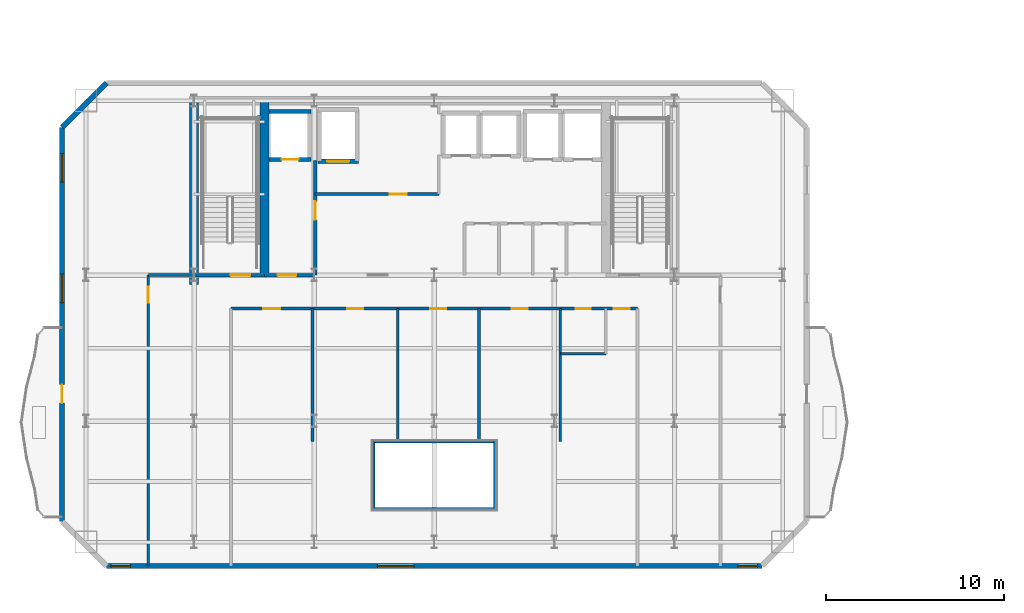
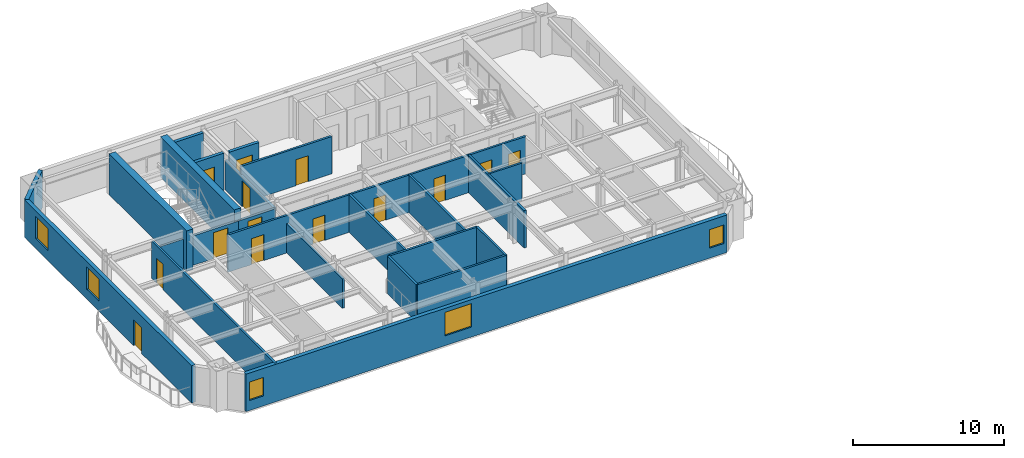
# One storey, part 5 of 14: 24 walls, 14 doors, 5 windows, 19 openings.
"""IFC4 building model written with IfcOpenShell, lengths in metres."""

from ifc_helpers import new_model, si_unit, direction, frame, frame_2d, origin, place, context, subcontext, project, spatial, rectangle, extrude, material, layer, layer_set, type_object, element, fill, save


model = new_model("IFC4")

# Units and contexts
model_context = context("Model", 3, precision=1e-05, world=origin(), true_north=direction((0.0, 1.0)))
body_context = subcontext(model_context, "Body", "Model", "MODEL_VIEW")
ifc_project = project(units=[si_unit("LENGTHUNIT", "METRE"), si_unit("AREAUNIT", "SQUARE_METRE"), si_unit("VOLUMEUNIT", "CUBIC_METRE"), si_unit("PLANEANGLEUNIT", "RADIAN"), si_unit("MASSUNIT", "GRAM", prefix="KILO")], contexts=[model_context])

# Site, building, storey
site_placement = place(None, origin())
site = spatial("IfcSite", under=ifc_project, at=site_placement, CompositionType="ELEMENT")
building_placement = place(site_placement, origin())
building = spatial("IfcBuilding", under=site, at=building_placement, Name="Haevon Station Towers", CompositionType="ELEMENT")
storey_placement = place(building_placement, frame((0.0, 0.0, 169.199951171875)))
storey = spatial("IfcBuildingStorey", under=building, at=storey_placement, Name="L46", CompositionType="ELEMENT", Elevation=169.199951171875)

# Wall, opening, door
ifc_material_1 = material(Name="Gypsum board on steel stud", Category="steel")
ifc_layer_1 = layer(ifc_material_1, 0.199951171875)
ifc_layer_set_1 = layer_set([ifc_layer_1], Name="Gypsum board on steel stud")
wall_type_1 = type_object("IfcWallType", Name="WL-COR200", PredefinedType="PARTITIONING", material=ifc_layer_set_1)
wall_1_placement = place(storey_placement, frame((24.0, 38.199951171875, 0.0), z_axis=(0.0, 0.0, 1.0), x_axis=(1.0, 0.0, 0.0)))
wall_1 = element("IfcWall", 1, at=wall_1_placement, inside=storey, type_object=wall_type_1, Name="WL-ST-ST1-L46", PredefinedType="PARTITIONING", context=body_context, shape_type="SweptSolid", body=[
    extrude(rectangle(XDim=3.949951171875, YDim=0.199951171875, at=frame_2d((1.97509765625, 0.0))), origin(), (0.0, 0.0, 1.0), 2.380126953125),
])
opening_1_placement = place(wall_1_placement, frame((2.050048828125, 0.0, 0.0)))
opening_1 = element("IfcOpeningElement", 2, at=opening_1_placement, cuts=wall_1, Name="Opening DR-ST-ST1-L46", PredefinedType="OPENING", context=body_context, shape_type="SweptSolid", body=[
    extrude(rectangle(XDim=1.1201171875, YDim=2.10009765625, at=frame_2d((0.56005859375, 1.050048828125))), frame((0.0, 0.10986328125, 0.0), z_axis=(0.0, -1.0, 0.0), x_axis=(1.0, 0.0, 0.0)), (0.0, 0.0, 1.0), 0.219970703125),
])
ifc_material_2 = material(Name="Engineered oak timber", Category="wood")
door_type_1 = type_object("IfcDoorType", Name="DR-ST-1120", OperationType="NOTDEFINED", PredefinedType="DOOR", material=ifc_material_2)
door_1_placement = place(opening_1_placement, origin())
door_1 = element("IfcDoor", 3, at=door_1_placement, inside=storey, type_object=door_type_1, Name="L46 Escape Stair ST1 Fire Door", OperationType="SINGLE_SWING_RIGHT", OverallHeight=2.10009765625, OverallWidth=1.1201171875, PredefinedType="DOOR", context=body_context, shape_type="SweptSolid", body=[
    extrude(rectangle(XDim=1.1201171875, YDim=2.10009765625, at=frame_2d((0.56005859375, 1.050048828125))), frame((0.0, 0.02490234375, 0.0), z_axis=(0.0, -1.0, 0.0), x_axis=(1.0, 0.0, 0.0)), (0.0, 0.0, 1.0), 0.050048828125),
])
fill(opening_1, door_1)

wall_2_placement = place(storey_placement, frame((30.800048828125, 38.199951171875, 0.0), z_axis=(0.0, 0.0, 1.0), x_axis=(0.0, 1.0, 0.0)))
wall_2 = element("IfcWall", 4, at=wall_2_placement, inside=storey, type_object=wall_type_1, Name="WL-T1FFL-L46-E", PredefinedType="PARTITIONING", context=body_context, shape_type="SweptSolid", body=[
    extrude(rectangle(XDim=6.449951171875, YDim=0.199951171875, at=frame_2d((3.22509765625, 0.0))), origin(), (0.0, 0.0, 1.0), 2.380126953125),
])
opening_2_placement = place(wall_2_placement, frame((3.10009765625, 0.0, 0.0)))
opening_2 = element("IfcOpeningElement", 5, at=opening_2_placement, cuts=wall_2, Name="Opening DR-T1FFL-L46-E", PredefinedType="OPENING", context=body_context, shape_type="SweptSolid", body=[
    extrude(rectangle(XDim=1.050048828125, YDim=2.10009765625, at=frame_2d((0.52490234375, 1.050048828125))), frame((0.0, 0.10986328125, 0.0), z_axis=(0.0, -1.0, 0.0), x_axis=(1.0, 0.0, 0.0)), (0.0, 0.0, 1.0), 0.219970703125),
])
door_type_2 = type_object("IfcDoorType", Name="DR-FD60-1050", OperationType="NOTDEFINED", PredefinedType="DOOR", material=ifc_material_2)
door_2_placement = place(opening_2_placement, origin())
door_2 = element("IfcDoor", 6, at=door_2_placement, inside=storey, type_object=door_type_2, Name="L46 Tower 1 Firefighting Lift Lobby Door E", OperationType="SINGLE_SWING_RIGHT", OverallHeight=2.10009765625, OverallWidth=1.050048828125, PredefinedType="DOOR", context=body_context, shape_type="SweptSolid", body=[
    extrude(rectangle(XDim=1.050048828125, YDim=2.10009765625, at=frame_2d((0.52490234375, 1.050048828125))), frame((0.0, 0.02490234375, 0.0), z_axis=(0.0, -1.0, 0.0), x_axis=(1.0, 0.0, 0.0)), (0.0, 0.0, 1.0), 0.050048828125),
])
fill(opening_2, door_2)

wall_3_placement = place(storey_placement, frame((27.949951171875, 38.199951171875, 0.0), z_axis=(0.0, 0.0, 1.0), x_axis=(1.0, 0.0, 0.0)))
wall_3 = element("IfcWall", 7, at=wall_3_placement, inside=storey, type_object=wall_type_1, Name="WL-T1FFL-L46-S", PredefinedType="PARTITIONING", context=body_context, shape_type="SweptSolid", body=[
    extrude(rectangle(XDim=2.85009765625, YDim=0.199951171875, at=frame_2d((1.425048828125, 0.0))), origin(), (0.0, 0.0, 1.0), 2.380126953125),
])
opening_3_placement = place(wall_3_placement, frame((0.75, 0.0, 0.0)))
opening_3 = element("IfcOpeningElement", 8, at=opening_3_placement, cuts=wall_3, Name="Opening DR-T1FFL-L46-S", PredefinedType="OPENING", context=body_context, shape_type="SweptSolid", body=[
    extrude(rectangle(XDim=1.050048828125, YDim=2.10009765625, at=frame_2d((0.52490234375, 1.050048828125))), frame((0.0, 0.10986328125, 0.0), z_axis=(0.0, -1.0, 0.0), x_axis=(1.0, 0.0, 0.0)), (0.0, 0.0, 1.0), 0.219970703125),
])
door_3_placement = place(opening_3_placement, origin())
door_3 = element("IfcDoor", 9, at=door_3_placement, inside=storey, type_object=door_type_2, Name="L46 Tower 1 Firefighting Lift Lobby Door S", OperationType="SINGLE_SWING_LEFT", OverallHeight=2.10009765625, OverallWidth=1.050048828125, PredefinedType="DOOR", context=body_context, shape_type="SweptSolid", body=[
    extrude(rectangle(XDim=1.050048828125, YDim=2.10009765625, at=frame_2d((0.52490234375, 1.050048828125))), frame((0.0, 0.02490234375, 0.0), z_axis=(0.0, -1.0, 0.0), x_axis=(1.0, 0.0, 0.0)), (0.0, 0.0, 1.0), 0.050048828125),
])
fill(opening_3, door_3)

# Walls
ifc_material_3 = material(Name="Concrete C60/75", Category="concrete")
ifc_layer_2 = layer(ifc_material_3, 0.5)
ifc_layer_set_2 = layer_set([ifc_layer_2], Name="Concrete C60/75")
wall_type_2 = type_object("IfcWallType", Name="WL-CR500", PredefinedType="SHEAR", material=ifc_layer_set_2)
wall_4_placement = place(storey_placement, frame((24.0, 37.679931640625, 0.0), z_axis=(0.0, 0.0, 1.0), x_axis=(0.0, 1.0, 0.0)))
element("IfcWall", 10, at=wall_4_placement, inside=storey, type_object=wall_type_2, Name="WL-T1CR-L46-W", PredefinedType="SHEAR", context=body_context, shape_type="SweptSolid", body=[
    extrude(rectangle(XDim=10.320068359375, YDim=0.5, at=frame_2d((5.16015625, 0.0))), origin(), (0.0, 0.0, 1.0), 3.300048828125),
])
wall_5_placement = place(storey_placement, frame((27.949951171875, 38.199951171875, 0.0), z_axis=(0.0, 0.0, 1.0), x_axis=(0.0, 1.0, 0.0)))
element("IfcWall", 11, at=wall_5_placement, inside=storey, type_object=wall_type_2, Name="WL-T1CR-L46-M1", PredefinedType="SHEAR", context=body_context, shape_type="SweptSolid", body=[
    extrude(rectangle(XDim=9.800048828125, YDim=0.5, at=frame_2d((4.89990234375, 0.0))), origin(), (0.0, 0.0, 1.0), 3.300048828125),
])

# Wall, openings, windows
ifc_material_4 = material(Name="Precast concrete C45/55", Category="concrete")
ifc_layer_3 = layer(ifc_material_4, 0.300048828125)
ifc_layer_set_3 = layer_set([ifc_layer_3], Name="Precast concrete C45/55")
wall_type_3 = type_object("IfcWallType", Name="WL-EXT-PIER300", PredefinedType="SOLIDWALL", material=ifc_layer_set_3)
wall_6_placement = place(storey_placement, frame((55.925048828125, 21.85009765625, 0.0), z_axis=(0.0, 0.0, 1.0), x_axis=(-1.0, 0.0, 0.0)))
wall_6 = element("IfcWall", 12, at=wall_6_placement, inside=storey, type_object=wall_type_3, Name="WL-T1-L46-S", PredefinedType="SOLIDWALL", context=body_context, shape_type="SweptSolid", body=[
    extrude(rectangle(XDim=36.85009765625, YDim=0.300048828125, at=frame_2d((18.425048828125, 0.0))), origin(), (0.0, 0.0, 1.0), 3.030029296875),
])
opening_4_placement = place(wall_6_placement, frame((35.5, 0.0, 0.800048828125)))
opening_4 = element("IfcOpeningElement", 13, at=opening_4_placement, cuts=wall_6, Name="Opening WN-COR110", PredefinedType="OPENING", context=body_context, shape_type="SweptSolid", body=[
    extrude(rectangle(XDim=1.10009765625, YDim=1.5, at=frame_2d((0.550048828125, 0.75))), frame((0.0, 0.159912109375, 0.0), z_axis=(0.0, -1.0, 0.0), x_axis=(1.0, 0.0, 0.0)), (0.0, 0.0, 1.0), 0.320068359375),
])
opening_5_placement = place(wall_6_placement, frame((0.25, 0.0, 0.800048828125)))
opening_5 = element("IfcOpeningElement", 14, at=opening_5_placement, cuts=wall_6, Name="Opening WN-COR110", PredefinedType="OPENING", context=body_context, shape_type="SweptSolid", body=[
    extrude(rectangle(XDim=1.10009765625, YDim=1.5, at=frame_2d((0.550048828125, 0.75))), frame((0.0, 0.159912109375, 0.0), z_axis=(0.0, -1.0, 0.0), x_axis=(1.0, 0.0, 0.0)), (0.0, 0.0, 1.0), 0.320068359375),
])
opening_6_placement = place(wall_6_placement, frame((19.56982421875, 0.0, 0.800048828125)))
opening_6 = element("IfcOpeningElement", 15, at=opening_6_placement, cuts=wall_6, Name="Opening WN-P205", PredefinedType="OPENING", context=body_context, shape_type="SweptSolid", body=[
    extrude(rectangle(XDim=2.050048828125, YDim=1.89990234375, at=frame_2d((1.02490234375, 0.949951171875))), frame((0.0, 0.159912109375, 0.0), z_axis=(0.0, -1.0, 0.0), x_axis=(1.0, 0.0, 0.0)), (0.0, 0.0, 1.0), 0.320068359375),
])
ifc_material_5 = material(Name="Low-E triple glazing in thermally broken aluminium", Category="aluminium")
window_type_1 = type_object("IfcWindowType", Name="WN-COR110", PartitioningType="SINGLE_PANEL", PredefinedType="WINDOW", material=ifc_material_5)
window_1_placement = place(opening_4_placement, origin())
window_1 = element("IfcWindow", 16, at=window_1_placement, inside=storey, type_object=window_type_1, Name="WN-T1-L46-S01", OverallHeight=1.5, OverallWidth=1.10009765625, PartitioningType="SINGLE_PANEL", PredefinedType="WINDOW", context=body_context, shape_type="SweptSolid", body=[
    extrude(rectangle(XDim=1.10009765625, YDim=1.5, at=frame_2d((0.550048828125, 0.75))), frame((0.0, 0.030029296875, 0.0), z_axis=(0.0, -1.0, 0.0), x_axis=(1.0, 0.0, 0.0)), (0.0, 0.0, 1.0), 0.06005859375),
])
fill(opening_4, window_1)
window_2_placement = place(opening_5_placement, origin())
window_2 = element("IfcWindow", 17, at=window_2_placement, inside=storey, type_object=window_type_1, Name="WN-T1-L46-S02", OverallHeight=1.5, OverallWidth=1.10009765625, PartitioningType="SINGLE_PANEL", PredefinedType="WINDOW", context=body_context, shape_type="SweptSolid", body=[
    extrude(rectangle(XDim=1.10009765625, YDim=1.5, at=frame_2d((0.550048828125, 0.75))), frame((0.0, 0.030029296875, 0.0), z_axis=(0.0, -1.0, 0.0), x_axis=(1.0, 0.0, 0.0)), (0.0, 0.0, 1.0), 0.06005859375),
])
fill(opening_5, window_2)
window_type_2 = type_object("IfcWindowType", Name="WN-P205", PartitioningType="SINGLE_PANEL", PredefinedType="WINDOW", material=ifc_material_5)
window_3_placement = place(opening_6_placement, origin())
window_3 = element("IfcWindow", 18, at=window_3_placement, inside=storey, type_object=window_type_2, Name="WN-T1-L46-S03", OverallHeight=1.89990234375, OverallWidth=2.050048828125, PartitioningType="SINGLE_PANEL", PredefinedType="WINDOW", context=body_context, shape_type="SweptSolid", body=[
    extrude(rectangle(XDim=2.050048828125, YDim=1.89990234375, at=frame_2d((1.02490234375, 0.949951171875))), frame((0.0, 0.030029296875, 0.0), z_axis=(0.0, -1.0, 0.0), x_axis=(1.0, 0.0, 0.0)), (0.0, 0.0, 1.0), 0.06005859375),
])
fill(opening_6, window_3)

# Wall, openings, door, windows
wall_7_placement = place(storey_placement, frame((16.574951171875, 24.35009765625, 0.0), z_axis=(0.0, 0.0, 1.0), x_axis=(0.0, 1.0, 0.0)))
wall_7 = element("IfcWall", 19, at=wall_7_placement, inside=storey, type_object=wall_type_3, Name="WL-T1-L46-W", PredefinedType="SOLIDWALL", context=body_context, shape_type="SweptSolid", body=[
    extrude(rectangle(XDim=22.14990234375, YDim=0.300048828125, at=frame_2d((11.074951171875, 0.0))), origin(), (0.0, 0.0, 1.0), 3.030029296875),
])
opening_7_placement = place(wall_7_placement, frame((6.64990234375, 0.0, 0.0)))
opening_7 = element("IfcOpeningElement", 20, at=opening_7_placement, cuts=wall_7, Name="Opening DR-T1-SCAL-L46-W", PredefinedType="OPENING", context=body_context, shape_type="SweptSolid", body=[
    extrude(rectangle(XDim=1.050048828125, YDim=2.10009765625, at=frame_2d((0.52490234375, 1.050048828125))), frame((0.0, 0.159912109375, 0.0), z_axis=(0.0, -1.0, 0.0), x_axis=(1.0, 0.0, 0.0)), (0.0, 0.0, 1.0), 0.320068359375),
])
opening_8_placement = place(wall_7_placement, frame((12.305419921875, 0.0, 0.800048828125)))
opening_8 = element("IfcOpeningElement", 21, at=opening_8_placement, cuts=wall_7, Name="Opening WN-END160", PredefinedType="OPENING", context=body_context, shape_type="SweptSolid", body=[
    extrude(rectangle(XDim=1.60009765625, YDim=1.800048828125, at=frame_2d((0.800048828125, 0.89990234375))), frame((0.0, 0.159912109375, 0.0), z_axis=(0.0, -1.0, 0.0), x_axis=(1.0, 0.0, 0.0)), (0.0, 0.0, 1.0), 0.320068359375),
])
opening_9_placement = place(wall_7_placement, frame((19.0732421875, 0.0, 0.800048828125)))
opening_9 = element("IfcOpeningElement", 22, at=opening_9_placement, cuts=wall_7, Name="Opening WN-END160", PredefinedType="OPENING", context=body_context, shape_type="SweptSolid", body=[
    extrude(rectangle(XDim=1.60009765625, YDim=1.800048828125, at=frame_2d((0.800048828125, 0.89990234375))), frame((0.0, 0.159912109375, 0.0), z_axis=(0.0, -1.0, 0.0), x_axis=(1.0, 0.0, 0.0)), (0.0, 0.0, 1.0), 0.320068359375),
])
ifc_material_6 = material(Name="Thermally broken anodised aluminium and laminated safety glass", Category="aluminium")
door_type_3 = type_object("IfcDoorType", Name="DR-BALC-1050", OperationType="NOTDEFINED", PredefinedType="DOOR", material=ifc_material_6)
door_4_placement = place(opening_7_placement, origin())
door_4 = element("IfcDoor", 23, at=door_4_placement, inside=storey, type_object=door_type_3, Name="Tower 1 L46 West Scalloped Balcony Door", OperationType="SINGLE_SWING_RIGHT", OverallHeight=2.10009765625, OverallWidth=1.050048828125, PredefinedType="DOOR", context=body_context, shape_type="SweptSolid", body=[
    extrude(rectangle(XDim=1.050048828125, YDim=2.10009765625, at=frame_2d((0.52490234375, 1.050048828125))), frame((0.0, 0.02490234375, 0.0), z_axis=(0.0, -1.0, 0.0), x_axis=(1.0, 0.0, 0.0)), (0.0, 0.0, 1.0), 0.050048828125),
])
fill(opening_7, door_4)
window_type_3 = type_object("IfcWindowType", Name="WN-END160", PartitioningType="SINGLE_PANEL", PredefinedType="WINDOW", material=ifc_material_5)
window_4_placement = place(opening_8_placement, origin())
window_4 = element("IfcWindow", 24, at=window_4_placement, inside=storey, type_object=window_type_3, Name="WN-T1-L46-W01", OverallHeight=1.800048828125, OverallWidth=1.60009765625, PartitioningType="SINGLE_PANEL", PredefinedType="WINDOW", context=body_context, shape_type="SweptSolid", body=[
    extrude(rectangle(XDim=1.60009765625, YDim=1.800048828125, at=frame_2d((0.800048828125, 0.89990234375))), frame((0.0, 0.030029296875, 0.0), z_axis=(0.0, -1.0, 0.0), x_axis=(1.0, 0.0, 0.0)), (0.0, 0.0, 1.0), 0.06005859375),
])
fill(opening_8, window_4)
window_5_placement = place(opening_9_placement, origin())
window_5 = element("IfcWindow", 25, at=window_5_placement, inside=storey, type_object=window_type_3, Name="WN-T1-L46-W02", OverallHeight=1.800048828125, OverallWidth=1.60009765625, PartitioningType="SINGLE_PANEL", PredefinedType="WINDOW", context=body_context, shape_type="SweptSolid", body=[
    extrude(rectangle(XDim=1.60009765625, YDim=1.800048828125, at=frame_2d((0.800048828125, 0.89990234375))), frame((0.0, 0.030029296875, 0.0), z_axis=(0.0, -1.0, 0.0), x_axis=(1.0, 0.0, 0.0)), (0.0, 0.0, 1.0), 0.06005859375),
])
fill(opening_9, window_5)

# Walls
wall_8_placement = place(storey_placement, frame((16.574951171875, 46.5, 0.0), z_axis=(0.0, 0.0, 1.0), x_axis=(0.707106781187, 0.707106781187, 0.0)))
element("IfcWall", 26, at=wall_8_placement, inside=storey, type_object=wall_type_3, Name="WL-T1-L46-NWC", PredefinedType="SOLIDWALL", context=body_context, shape_type="SweptSolid", body=[
    extrude(rectangle(XDim=3.53564453125, YDim=0.300048828125, at=frame_2d((1.767822265625, 0.0))), origin(), (0.0, 0.0, 1.0), 3.030029296875),
])
ifc_layer_4 = layer(ifc_material_1, 0.139892578125)
ifc_layer_set_4 = layer_set([ifc_layer_4], Name="Gypsum board on steel stud")
wall_type_4 = type_object("IfcWallType", Name="WL-PRT140", PredefinedType="PARTITIONING", material=ifc_layer_set_4)
wall_9_placement = place(storey_placement, frame((44.580322265625, 33.77001953125, 0.0), z_axis=(0.0, 0.0, 1.0), x_axis=(1.0, 0.0, 0.0)))
element("IfcWall", 27, at=wall_9_placement, inside=storey, type_object=wall_type_4, Name="WL-T1PT-L46-18", PredefinedType="PARTITIONING", context=body_context, shape_type="SweptSolid", body=[
    extrude(rectangle(XDim=2.5595703125, YDim=0.139892578125, at=frame_2d((1.27978515625, 0.0))), origin(), (0.0, 0.0, 1.0), 3.030029296875),
])

# Wall, opening, door
ifc_layer_5 = layer(ifc_material_1, 0.159912109375)
ifc_layer_set_5 = layer_set([ifc_layer_5], Name="Gypsum board on steel stud")
wall_type_5 = type_object("IfcWallType", Name="WL-PRT160", PredefinedType="PARTITIONING", material=ifc_layer_set_5)
wall_10_placement = place(storey_placement, frame((30.800048828125, 42.75, 0.0), z_axis=(0.0, 0.0, 1.0), x_axis=(1.0, 0.0, 0.0)))
wall_10 = element("IfcWall", 28, at=wall_10_placement, inside=storey, type_object=wall_type_5, Name="WL-T1CW-L46-01", PredefinedType="PARTITIONING", context=body_context, shape_type="SweptSolid", body=[
    extrude(rectangle(XDim=6.949951171875, YDim=0.159912109375, at=frame_2d((3.47509765625, 0.0))), origin(), (0.0, 0.0, 1.0), 3.030029296875),
])
opening_10_placement = place(wall_10_placement, frame((4.199951171875, 0.0, 0.0)))
opening_10 = element("IfcOpeningElement", 29, at=opening_10_placement, cuts=wall_10, Name="Opening DR-WL-T1CW-L46-01-1", PredefinedType="OPENING", context=body_context, shape_type="SweptSolid", body=[
    extrude(rectangle(XDim=0.949951171875, YDim=2.10009765625, at=frame_2d((0.47509765625, 1.050048828125))), frame((0.0, 0.08984375, 0.0), z_axis=(0.0, -1.0, 0.0), x_axis=(1.0, 0.0, 0.0)), (0.0, 0.0, 1.0), 0.179931640625),
])
door_type_4 = type_object("IfcDoorType", Name="DR-FD60-950", OperationType="NOTDEFINED", PredefinedType="DOOR", material=ifc_material_2)
door_5_placement = place(opening_10_placement, origin())
door_5 = element("IfcDoor", 30, at=door_5_placement, inside=storey, type_object=door_type_4, Name="L46 Tower 1 Core Room Door 1-1", OperationType="SINGLE_SWING_LEFT", OverallHeight=2.10009765625, OverallWidth=0.949951171875, PredefinedType="DOOR", context=body_context, shape_type="SweptSolid", body=[
    extrude(rectangle(XDim=0.949951171875, YDim=2.10009765625, at=frame_2d((0.47509765625, 1.050048828125))), frame((0.0, 0.02490234375, 0.0), z_axis=(0.0, -1.0, 0.0), x_axis=(1.0, 0.0, 0.0)), (0.0, 0.0, 1.0), 0.050048828125),
])
fill(opening_10, door_5)

# Wall
wall_11_placement = place(storey_placement, frame((21.425048828125, 38.199951171875, 0.0), z_axis=(0.0, 0.0, 1.0), x_axis=(1.0, 0.0, 0.0)))
element("IfcWall", 31, at=wall_11_placement, inside=storey, type_object=wall_type_5, Name="WL-T1PT-L46-03", PredefinedType="PARTITIONING", context=body_context, shape_type="SweptSolid", body=[
    extrude(rectangle(XDim=2.574951171875, YDim=0.159912109375, at=frame_2d((1.28759765625, 0.0))), origin(), (0.0, 0.0, 1.0), 2.380126953125),
])

# Wall, opening, door
wall_12_placement = place(storey_placement, frame((21.425048828125, 21.85009765625, 0.0), z_axis=(0.0, 0.0, 1.0), x_axis=(0.0, 1.0, 0.0)))
wall_12 = element("IfcWall", 32, at=wall_12_placement, inside=storey, type_object=wall_type_5, Name="WL-T1PT-L46-05", PredefinedType="PARTITIONING", context=body_context, shape_type="SweptSolid", body=[
    extrude(rectangle(XDim=16.349853515625, YDim=0.159912109375, at=frame_2d((8.1748046875, 0.0))), origin(), (0.0, 0.0, 1.0), 3.030029296875),
])
opening_11_placement = place(wall_12_placement, frame((14.7900390625, 0.0, 0.0)))
opening_11 = element("IfcOpeningElement", 33, at=opening_11_placement, cuts=wall_12, Name="Opening DR-WL-T1PT-L46-05-01", PredefinedType="OPENING", context=body_context, shape_type="SweptSolid", body=[
    extrude(rectangle(XDim=0.89990234375, YDim=2.050048828125, at=frame_2d((0.449951171875, 1.02490234375))), frame((0.0, 0.08984375, 0.0), z_axis=(0.0, -1.0, 0.0), x_axis=(1.0, 0.0, 0.0)), (0.0, 0.0, 1.0), 0.179931640625),
])
door_type_5 = type_object("IfcDoorType", Name="DR-INT-900", OperationType="NOTDEFINED", PredefinedType="DOOR", material=ifc_material_2)
door_6_placement = place(opening_11_placement, origin())
door_6 = element("IfcDoor", 34, at=door_6_placement, inside=storey, type_object=door_type_5, Name="L46 Tower 1 Room Door 5-1", OperationType="SINGLE_SWING_RIGHT", OverallHeight=2.050048828125, OverallWidth=0.89990234375, PredefinedType="DOOR", context=body_context, shape_type="SweptSolid", body=[
    extrude(rectangle(XDim=0.89990234375, YDim=2.050048828125, at=frame_2d((0.449951171875, 1.02490234375))), frame((0.0, 0.02490234375, 0.0), z_axis=(0.0, -1.0, 0.0), x_axis=(1.0, 0.0, 0.0)), (0.0, 0.0, 1.0), 0.050048828125),
])
fill(opening_11, door_6)

# Walls
for number, where, z_axis, x_axis, name in (
    (35, (34.10009765625, 25.050048828125, 0.0), (0.0, 0.0, 1.0), (1.0, 0.0, 0.0), "WL-T1PT-L46-07"),
    (36, (34.10009765625, 28.85009765625, 0.0), (0.0, 0.0, 1.0), (1.0, 0.0, 0.0), "WL-T1PT-L46-08"),
):
    element("IfcWall", number, at=place(storey_placement, frame(where, z_axis=z_axis, x_axis=x_axis)), inside=storey, type_object=wall_type_5, Name=name, PredefinedType="PARTITIONING", context=body_context, shape_type="SweptSolid", body=[
        extrude(rectangle(XDim=6.7998046875, YDim=0.159912109375, at=frame_2d((3.39990234375, 0.0))), origin(), (0.0, 0.0, 1.0), 3.030029296875),
    ])
for number, where, z_axis, x_axis, name in (
    (37, (34.10009765625, 25.050048828125, 0.0), (0.0, 0.0, 1.0), (0.0, 1.0, 0.0), "WL-T1PT-L46-09"),
    (38, (40.89990234375, 25.050048828125, 0.0), (0.0, 0.0, 1.0), (0.0, 1.0, 0.0), "WL-T1PT-L46-10"),
):
    element("IfcWall", number, at=place(storey_placement, frame(where, z_axis=z_axis, x_axis=x_axis)), inside=storey, type_object=wall_type_5, Name=name, PredefinedType="PARTITIONING", context=body_context, shape_type="SweptSolid", body=[
        extrude(rectangle(XDim=3.800048828125, YDim=0.159912109375, at=frame_2d((1.89990234375, 0.0))), origin(), (0.0, 0.0, 1.0), 3.030029296875),
    ])
wall_13_placement = place(storey_placement, frame((30.64794921875, 28.85009765625, 0.0), z_axis=(0.0, 0.0, 1.0), x_axis=(0.0, 1.0, 0.0)))
element("IfcWall", 39, at=wall_13_placement, inside=storey, type_object=wall_type_5, Name="WL-T1PT-L46-11", PredefinedType="PARTITIONING", context=body_context, shape_type="SweptSolid", body=[
    extrude(rectangle(XDim=7.469970703125, YDim=0.159912109375, at=frame_2d((3.73486328125, 0.0))), origin(), (0.0, 0.0, 1.0), 2.380126953125),
])
for number, where, z_axis, x_axis, name in (
    (40, (35.4443359375, 28.85009765625, 0.0), (0.0, 0.0, 1.0), (0.0, 1.0, 0.0), "WL-T1PT-L46-12"),
    (41, (40.012451171875, 28.85009765625, 0.0), (0.0, 0.0, 1.0), (0.0, 1.0, 0.0), "WL-T1PT-L46-14"),
    (42, (44.580322265625, 28.85009765625, 0.0), (0.0, 0.0, 1.0), (0.0, 1.0, 0.0), "WL-T1PT-L46-16"),
):
    element("IfcWall", number, at=place(storey_placement, frame(where, z_axis=z_axis, x_axis=x_axis)), inside=storey, type_object=wall_type_5, Name=name, PredefinedType="PARTITIONING", context=body_context, shape_type="SweptSolid", body=[
        extrude(rectangle(XDim=7.469970703125, YDim=0.159912109375, at=frame_2d((3.73486328125, 0.0))), origin(), (0.0, 0.0, 1.0), 3.030029296875),
    ])

# Wall, openings, doors
wall_14_placement = place(storey_placement, frame((26.080078125, 36.320068359375, 0.0), z_axis=(0.0, 0.0, 1.0), x_axis=(1.0, 0.0, 0.0)))
wall_14 = element("IfcWall", 43, at=wall_14_placement, inside=storey, type_object=wall_type_5, Name="WL-T1PT-L46-20", PredefinedType="PARTITIONING", context=body_context, shape_type="SweptSolid", body=[
    extrude(rectangle(XDim=22.83984375, YDim=0.159912109375, at=frame_2d((11.419921875, 0.0))), origin(), (0.0, 0.0, 1.0), 3.030029296875),
])
opening_12_placement = place(wall_14_placement, frame((1.80908203125, 0.0, 0.0)))
opening_12 = element("IfcOpeningElement", 44, at=opening_12_placement, cuts=wall_14, Name="Opening DR-WL-T1PT-L46-20-01", PredefinedType="OPENING", context=body_context, shape_type="SweptSolid", body=[
    extrude(rectangle(XDim=0.949951171875, YDim=2.10009765625, at=frame_2d((0.47509765625, 1.050048828125))), frame((0.0, 0.08984375, 0.0), z_axis=(0.0, -1.0, 0.0), x_axis=(1.0, 0.0, 0.0)), (0.0, 0.0, 1.0), 0.179931640625),
])
opening_13_placement = place(wall_14_placement, frame((6.51611328125, 0.0, 0.0)))
opening_13 = element("IfcOpeningElement", 45, at=opening_13_placement, cuts=wall_14, Name="Opening DR-WL-T1PT-L46-20-02", PredefinedType="OPENING", context=body_context, shape_type="SweptSolid", body=[
    extrude(rectangle(XDim=0.89990234375, YDim=2.050048828125, at=frame_2d((0.449951171875, 1.02490234375))), frame((0.0, 0.08984375, 0.0), z_axis=(0.0, -1.0, 0.0), x_axis=(1.0, 0.0, 0.0)), (0.0, 0.0, 1.0), 0.179931640625),
])
opening_14_placement = place(wall_14_placement, frame((11.197998046875, 0.0, 0.0)))
opening_14 = element("IfcOpeningElement", 46, at=opening_14_placement, cuts=wall_14, Name="Opening DR-WL-T1PT-L46-20-03", PredefinedType="OPENING", context=body_context, shape_type="SweptSolid", body=[
    extrude(rectangle(XDim=0.89990234375, YDim=2.050048828125, at=frame_2d((0.449951171875, 1.02490234375))), frame((0.0, 0.08984375, 0.0), z_axis=(0.0, -1.0, 0.0), x_axis=(1.0, 0.0, 0.0)), (0.0, 0.0, 1.0), 0.179931640625),
])
opening_15_placement = place(wall_14_placement, frame((15.76611328125, 0.0, 0.0)))
opening_15 = element("IfcOpeningElement", 47, at=opening_15_placement, cuts=wall_14, Name="Opening DR-WL-T1PT-L46-20-04", PredefinedType="OPENING", context=body_context, shape_type="SweptSolid", body=[
    extrude(rectangle(XDim=0.89990234375, YDim=2.050048828125, at=frame_2d((0.449951171875, 1.02490234375))), frame((0.0, 0.08984375, 0.0), z_axis=(0.0, -1.0, 0.0), x_axis=(1.0, 0.0, 0.0)), (0.0, 0.0, 1.0), 0.179931640625),
])
opening_16_placement = place(wall_14_placement, frame((19.35498046875, 0.0, 0.0)))
opening_16 = element("IfcOpeningElement", 48, at=opening_16_placement, cuts=wall_14, Name="Opening DR-WL-T1PT-L46-20-05", PredefinedType="OPENING", context=body_context, shape_type="SweptSolid", body=[
    extrude(rectangle(XDim=0.85009765625, YDim=2.050048828125, at=frame_2d((0.425048828125, 1.02490234375))), frame((0.0, 0.08984375, 0.0), z_axis=(0.0, -1.0, 0.0), x_axis=(1.0, 0.0, 0.0)), (0.0, 0.0, 1.0), 0.179931640625),
])
opening_17_placement = place(wall_14_placement, frame((21.5, 0.0, 0.0)))
opening_17 = element("IfcOpeningElement", 49, at=opening_17_placement, cuts=wall_14, Name="Opening DR-WL-T1PT-L46-20-06", PredefinedType="OPENING", context=body_context, shape_type="SweptSolid", body=[
    extrude(rectangle(XDim=0.89990234375, YDim=2.050048828125, at=frame_2d((0.449951171875, 1.02490234375))), frame((0.0, 0.08984375, 0.0), z_axis=(0.0, -1.0, 0.0), x_axis=(1.0, 0.0, 0.0)), (0.0, 0.0, 1.0), 0.179931640625),
])
door_type_6 = type_object("IfcDoorType", Name="DR-FD30-850", OperationType="NOTDEFINED", PredefinedType="DOOR", material=ifc_material_2)
door_7_placement = place(opening_16_placement, origin())
door_7 = element("IfcDoor", 50, at=door_7_placement, inside=storey, type_object=door_type_6, Name="L46 Tower 1 Room Door 20-5", OperationType="SINGLE_SWING_RIGHT", OverallHeight=2.050048828125, OverallWidth=0.85009765625, PredefinedType="DOOR", context=body_context, shape_type="SweptSolid", body=[
    extrude(rectangle(XDim=0.85009765625, YDim=2.050048828125, at=frame_2d((0.425048828125, 1.02490234375))), frame((0.0, 0.02490234375, 0.0), z_axis=(0.0, -1.0, 0.0), x_axis=(1.0, 0.0, 0.0)), (0.0, 0.0, 1.0), 0.050048828125),
])
fill(opening_16, door_7)
door_type_7 = type_object("IfcDoorType", Name="DR-FD30-950", OperationType="NOTDEFINED", PredefinedType="DOOR", material=ifc_material_2)
door_8_placement = place(opening_12_placement, origin())
door_8 = element("IfcDoor", 51, at=door_8_placement, inside=storey, type_object=door_type_7, Name="L46 Tower 1 Room Door 20-1", OperationType="SINGLE_SWING_RIGHT", OverallHeight=2.10009765625, OverallWidth=0.949951171875, PredefinedType="DOOR", context=body_context, shape_type="SweptSolid", body=[
    extrude(rectangle(XDim=0.949951171875, YDim=2.10009765625, at=frame_2d((0.47509765625, 1.050048828125))), frame((0.0, 0.02490234375, 0.0), z_axis=(0.0, -1.0, 0.0), x_axis=(1.0, 0.0, 0.0)), (0.0, 0.0, 1.0), 0.050048828125),
])
fill(opening_12, door_8)
door_9_placement = place(opening_13_placement, origin())
door_9 = element("IfcDoor", 52, at=door_9_placement, inside=storey, type_object=door_type_5, Name="L46 Tower 1 Room Door 20-2", OperationType="SINGLE_SWING_LEFT", OverallHeight=2.050048828125, OverallWidth=0.89990234375, PredefinedType="DOOR", context=body_context, shape_type="SweptSolid", body=[
    extrude(rectangle(XDim=0.89990234375, YDim=2.050048828125, at=frame_2d((0.449951171875, 1.02490234375))), frame((0.0, 0.02490234375, 0.0), z_axis=(0.0, -1.0, 0.0), x_axis=(1.0, 0.0, 0.0)), (0.0, 0.0, 1.0), 0.050048828125),
])
fill(opening_13, door_9)
door_10_placement = place(opening_14_placement, origin())
door_10 = element("IfcDoor", 53, at=door_10_placement, inside=storey, type_object=door_type_5, Name="L46 Tower 1 Room Door 20-3", OperationType="SINGLE_SWING_RIGHT", OverallHeight=2.050048828125, OverallWidth=0.89990234375, PredefinedType="DOOR", context=body_context, shape_type="SweptSolid", body=[
    extrude(rectangle(XDim=0.89990234375, YDim=2.050048828125, at=frame_2d((0.449951171875, 1.02490234375))), frame((0.0, 0.02490234375, 0.0), z_axis=(0.0, -1.0, 0.0), x_axis=(1.0, 0.0, 0.0)), (0.0, 0.0, 1.0), 0.050048828125),
])
fill(opening_14, door_10)
door_11_placement = place(opening_15_placement, origin())
door_11 = element("IfcDoor", 54, at=door_11_placement, inside=storey, type_object=door_type_5, Name="L46 Tower 1 Room Door 20-4", OperationType="SINGLE_SWING_LEFT", OverallHeight=2.050048828125, OverallWidth=0.89990234375, PredefinedType="DOOR", context=body_context, shape_type="SweptSolid", body=[
    extrude(rectangle(XDim=0.89990234375, YDim=2.050048828125, at=frame_2d((0.449951171875, 1.02490234375))), frame((0.0, 0.02490234375, 0.0), z_axis=(0.0, -1.0, 0.0), x_axis=(1.0, 0.0, 0.0)), (0.0, 0.0, 1.0), 0.050048828125),
])
fill(opening_15, door_11)
door_12_placement = place(opening_17_placement, origin())
door_12 = element("IfcDoor", 55, at=door_12_placement, inside=storey, type_object=door_type_5, Name="L46 Tower 1 Room Door 20-6", OperationType="SINGLE_SWING_LEFT", OverallHeight=2.050048828125, OverallWidth=0.89990234375, PredefinedType="DOOR", context=body_context, shape_type="SweptSolid", body=[
    extrude(rectangle(XDim=0.89990234375, YDim=2.050048828125, at=frame_2d((0.449951171875, 1.02490234375))), frame((0.0, 0.02490234375, 0.0), z_axis=(0.0, -1.0, 0.0), x_axis=(1.0, 0.0, 0.0)), (0.0, 0.0, 1.0), 0.050048828125),
])
fill(opening_17, door_12)

# Wall, opening, door
ifc_material_7 = material(Name="Concrete C40/50", Category="concrete")
ifc_layer_6 = layer(ifc_material_7, 0.239990234375)
ifc_layer_set_6 = layer_set([ifc_layer_6], Name="Concrete C40/50")
wall_type_6 = type_object("IfcWallType", Name="WL-SHF240", PredefinedType="PARTITIONING", material=ifc_layer_set_6)
wall_15_placement = place(storey_placement, frame((28.219970703125, 44.699951171875, 0.0), z_axis=(0.0, 0.0, 1.0), x_axis=(1.0, 0.0, 0.0)))
wall_15 = element("IfcWall", 56, at=wall_15_placement, inside=storey, type_object=wall_type_6, Name="WL-SHF-FL1-L46", PredefinedType="PARTITIONING", context=body_context, shape_type="SweptSolid", body=[
    extrude(rectangle(XDim=2.360107421875, YDim=0.239990234375, at=frame_2d((1.18017578125, 0.0))), origin(), (0.0, 0.0, 1.0), 3.030029296875),
])
opening_18_placement = place(wall_15_placement, frame((0.705078125, 0.0, 0.0)))
opening_18 = element("IfcOpeningElement", 57, at=opening_18_placement, cuts=wall_15, Name="Opening LD-FL1-L46", PredefinedType="OPENING", context=body_context, shape_type="SweptSolid", body=[
    extrude(rectangle(XDim=0.949951171875, YDim=2.14990234375, at=frame_2d((0.47509765625, 1.074951171875))), frame((0.0, 0.1298828125, 0.0), z_axis=(0.0, -1.0, 0.0), x_axis=(1.0, 0.0, 0.0)), (0.0, 0.0, 1.0), 0.260009765625),
])
ifc_material_8 = material(Name="Stainless steel and rated core", Category="steel")
door_type_8 = type_object("IfcDoorType", Name="LD-FL950", OperationType="SLIDING_TO_LEFT", PredefinedType="DOOR", material=ifc_material_8)
door_13_placement = place(opening_18_placement, origin())
door_13 = element("IfcDoor", 58, at=door_13_placement, inside=storey, type_object=door_type_8, Name="L46 Lift FL1 Sliding Landing Door", OperationType="SLIDING_TO_LEFT", OverallHeight=2.14990234375, OverallWidth=0.949951171875, PredefinedType="DOOR", context=body_context, shape_type="SweptSolid", body=[
    extrude(rectangle(XDim=0.949951171875, YDim=2.14990234375, at=frame_2d((0.47509765625, 1.074951171875))), frame((0.0, 0.02490234375, 0.0), z_axis=(0.0, -1.0, 0.0), x_axis=(1.0, 0.0, 0.0)), (0.0, 0.0, 1.0), 0.050048828125),
])
fill(opening_18, door_13)

# Wall
wall_16_placement = place(storey_placement, frame((28.219970703125, 47.39990234375, 0.0), z_axis=(0.0, 0.0, 1.0), x_axis=(1.0, 0.0, 0.0)))
element("IfcWall", 59, at=wall_16_placement, inside=storey, type_object=wall_type_6, Name="WL-SHF-FL1-L46-N", PredefinedType="PARTITIONING", context=body_context, shape_type="SweptSolid", body=[
    extrude(rectangle(XDim=2.360107421875, YDim=0.239990234375, at=frame_2d((1.18017578125, 0.0))), origin(), (0.0, 0.0, 1.0), 3.030029296875),
])

# Wall, opening, door
wall_17_placement = place(storey_placement, frame((30.969970703125, 44.60009765625, 0.0), z_axis=(0.0, 0.0, 1.0), x_axis=(1.0, 0.0, 0.0)))
wall_17 = element("IfcWall", 60, at=wall_17_placement, inside=storey, type_object=wall_type_6, Name="WL-SHF-SL1-L46", PredefinedType="PARTITIONING", context=body_context, shape_type="SweptSolid", body=[
    extrude(rectangle(XDim=2.260009765625, YDim=0.239990234375, at=frame_2d((1.1298828125, 0.0))), origin(), (0.0, 0.0, 1.0), 3.030029296875),
])
opening_19_placement = place(wall_17_placement, frame((0.5048828125, 0.0, 0.0)))
opening_19 = element("IfcOpeningElement", 61, at=opening_19_placement, cuts=wall_17, Name="Opening LD-SL1-L46", PredefinedType="OPENING", context=body_context, shape_type="SweptSolid", body=[
    extrude(rectangle(XDim=1.25, YDim=2.199951171875, at=frame_2d((0.625, 1.10009765625))), frame((0.0, 0.1298828125, 0.0), z_axis=(0.0, -1.0, 0.0), x_axis=(1.0, 0.0, 0.0)), (0.0, 0.0, 1.0), 0.260009765625),
])
door_type_9 = type_object("IfcDoorType", Name="LD-SL1250", OperationType="SLIDING_TO_LEFT", PredefinedType="DOOR", material=ifc_material_8)
door_14_placement = place(opening_19_placement, origin())
door_14 = element("IfcDoor", 62, at=door_14_placement, inside=storey, type_object=door_type_9, Name="L46 Lift SL1 Sliding Landing Door", OperationType="SLIDING_TO_LEFT", OverallHeight=2.199951171875, OverallWidth=1.25, PredefinedType="DOOR", context=body_context, shape_type="SweptSolid", body=[
    extrude(rectangle(XDim=1.25, YDim=2.199951171875, at=frame_2d((0.625, 1.10009765625))), frame((0.0, 0.02490234375, 0.0), z_axis=(0.0, -1.0, 0.0), x_axis=(1.0, 0.0, 0.0)), (0.0, 0.0, 1.0), 0.050048828125),
])
fill(opening_19, door_14)

save(model, "model.ifc")
